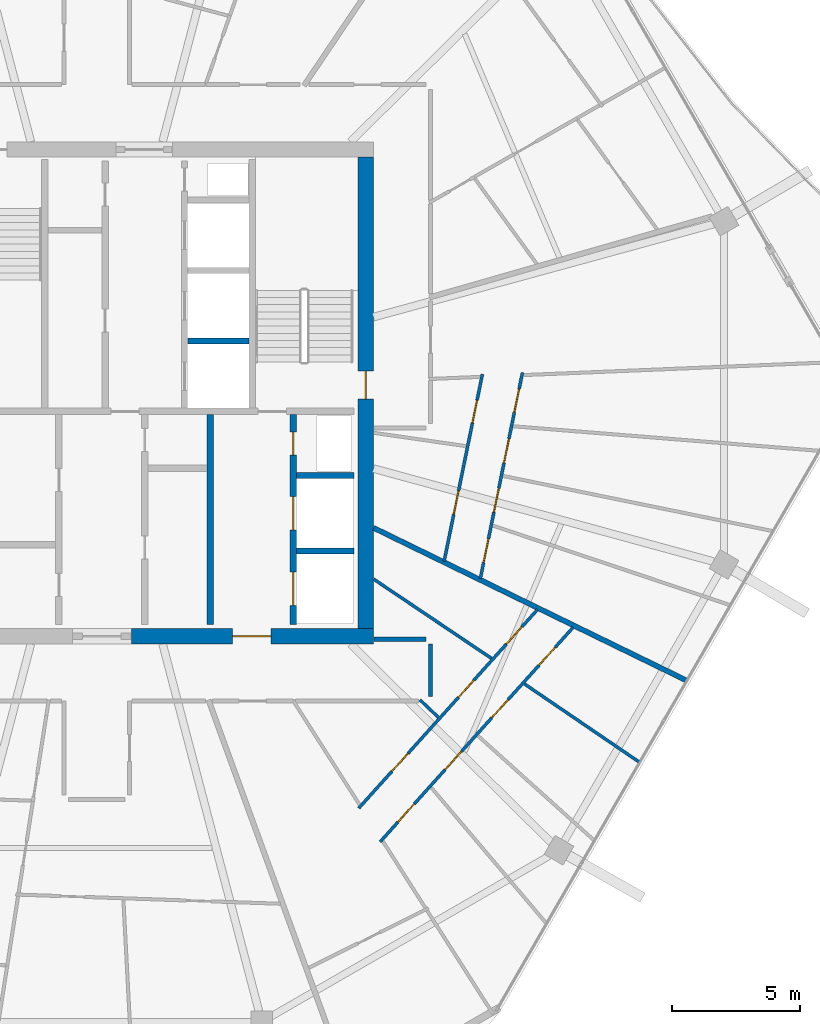
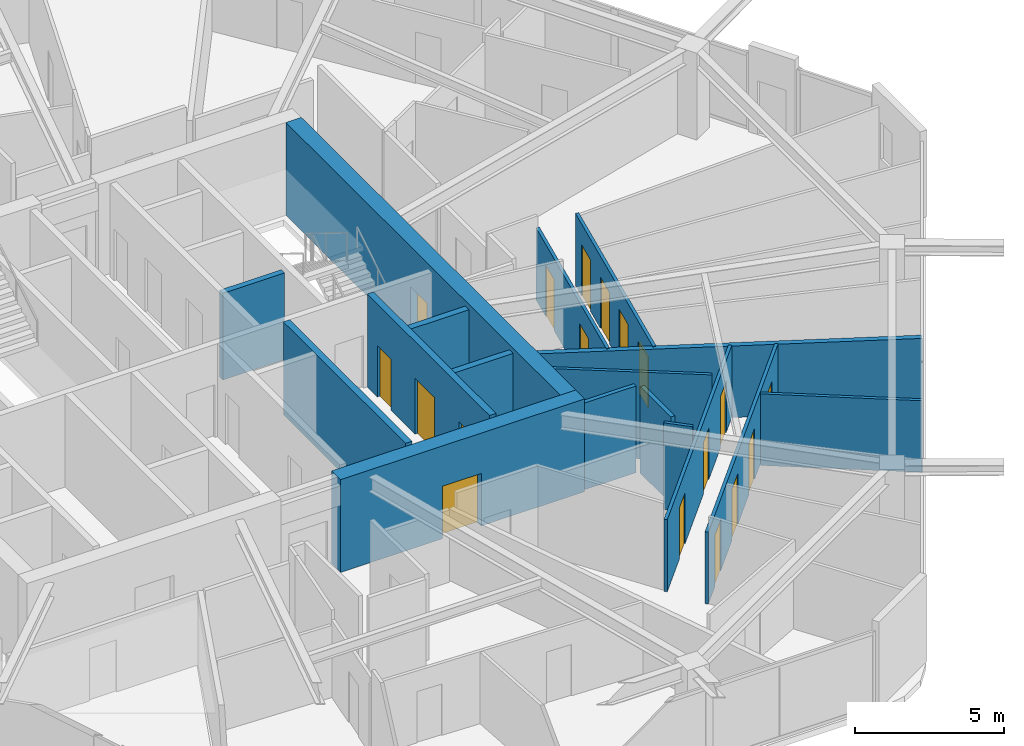
# One storey, part 20 of 26: 18 doors, 17 walls, 18 openings.
"""IFC4 building model written with IfcOpenShell, lengths in metres."""

from ifc_helpers import new_model, si_unit, direction, frame, frame_2d, origin, place, context, subcontext, project, spatial, rectangle, extrude, material, layer, layer_set, type_object, element, fill, save


model = new_model("IFC4")

# Units and contexts
model_context = context("Model", 3, precision=1e-05, world=origin(), true_north=direction((0.0, 1.0)))
body_context = subcontext(model_context, "Body", "Model", "MODEL_VIEW")
ifc_project = project(units=[si_unit("LENGTHUNIT", "METRE"), si_unit("AREAUNIT", "SQUARE_METRE"), si_unit("VOLUMEUNIT", "CUBIC_METRE"), si_unit("PLANEANGLEUNIT", "RADIAN"), si_unit("MASSUNIT", "GRAM", prefix="KILO")], contexts=[model_context])

# Site, building, storey
site_placement = place(None, origin())
site = spatial("IfcSite", under=ifc_project, at=site_placement, CompositionType="ELEMENT")
building_placement = place(site_placement, origin())
building = spatial("IfcBuilding", under=site, at=building_placement, Name="Zuhravey Tower", CompositionType="ELEMENT")
storey_placement = place(building_placement, frame((0.0, 0.0, 295.800048828125)))
storey = spatial("IfcBuildingStorey", under=building, at=storey_placement, Name="L75", CompositionType="ELEMENT", Elevation=295.800048828125)

# Wall, opening, door
ifc_material_1 = material(Name="Concrete C50/60", Category="concrete")
ifc_layer_1 = layer(ifc_material_1, 0.60009765625)
ifc_layer_set_1 = layer_set([ifc_layer_1], Name="Concrete C50/60")
wall_type_1 = type_object("IfcWallType", Name="Core Shear Wall 600", PredefinedType="SHEAR", material=ifc_layer_set_1)
wall_1_placement = place(storey_placement, frame((37.35009765625, 22.5, 0.0), z_axis=(0.0, 0.0, 1.0), x_axis=(1.0, 0.0, 0.0)))
wall_1 = element("IfcWall", 1, at=wall_1_placement, inside=storey, type_object=wall_type_1, Name="L75 South-East Core Shear Wall CW60", PredefinedType="SHEAR", context=body_context, shape_type="SweptSolid", body=[
    extrude(rectangle(XDim=9.449951171875, YDim=0.60009765625, at=frame_2d((4.72509765625, 0.0))), origin(), (0.0, 0.0, 1.0), 3.800048828125),
])
opening_1_placement = place(wall_1_placement, frame((3.949951171875, 0.0, 0.0)))
opening_1 = element("IfcOpeningElement", 2, at=opening_1_placement, cuts=wall_1, Name="Opening FFD1", PredefinedType="OPENING", context=body_context, shape_type="SweptSolid", body=[
    extrude(rectangle(XDim=1.5, YDim=2.14990234375, at=frame_2d((0.75, 1.074951171875))), frame((0.0, 0.31201171875, 0.0), z_axis=(0.0, -1.0, 0.0), x_axis=(1.0, 0.0, 0.0)), (0.0, 0.0, 1.0), 0.6240234375),
])
ifc_material_2 = material(Name="Galvanised fire-rated steel leaf", Category="steel")
door_type_1 = type_object("IfcDoorType", Name="Firefighting Lobby Double Door 1500x2150", OperationType="DOUBLE_DOOR_SINGLE_SWING", PredefinedType="DOOR", material=ifc_material_2)
door_1_placement = place(opening_1_placement, origin())
door_1 = element("IfcDoor", 3, at=door_1_placement, inside=storey, type_object=door_type_1, Name="L75 Firefighting Lobby East Door", OperationType="DOUBLE_DOOR_SINGLE_SWING", OverallHeight=2.14990234375, OverallWidth=1.5, PredefinedType="DOOR", context=body_context, shape_type="SweptSolid", body=[
    extrude(rectangle(XDim=1.5, YDim=2.14990234375, at=frame_2d((0.75, 1.074951171875))), frame((0.0, 0.02490234375, 0.0), z_axis=(0.0, -1.0, 0.0), x_axis=(1.0, 0.0, 0.0)), (0.0, 0.0, 1.0), 0.050048828125),
])
fill(opening_1, door_1)

wall_2_placement = place(storey_placement, frame((46.5, 22.800048828125, 0.0), z_axis=(0.0, 0.0, 1.0), x_axis=(0.0, 1.0, 0.0)))
wall_2 = element("IfcWall", 4, at=wall_2_placement, inside=storey, type_object=wall_type_1, Name="L75 East Core Shear Wall CW60", PredefinedType="SHEAR", context=body_context, shape_type="SweptSolid", body=[
    extrude(rectangle(XDim=18.39990234375, YDim=0.60009765625, at=frame_2d((9.199951171875, 0.0))), origin(), (0.0, 0.0, 1.0), 3.800048828125),
])
opening_2_placement = place(wall_2_placement, frame((8.949951171875, 0.0, 0.0)))
opening_2 = element("IfcOpeningElement", 5, at=opening_2_placement, cuts=wall_2, Name="Opening STD1", PredefinedType="OPENING", context=body_context, shape_type="SweptSolid", body=[
    extrude(rectangle(XDim=1.10009765625, YDim=2.14990234375, at=frame_2d((0.550048828125, 1.074951171875))), frame((0.0, 0.31201171875, 0.0), z_axis=(0.0, -1.0, 0.0), x_axis=(1.0, 0.0, 0.0)), (0.0, 0.0, 1.0), 0.6240234375),
])
door_type_2 = type_object("IfcDoorType", Name="Protected Stair Fire Door 1100x2150", OperationType="NOTDEFINED", PredefinedType="USERDEFINED", material=ifc_material_2)
door_2_placement = place(opening_2_placement, origin())
door_2 = element("IfcDoor", 6, at=door_2_placement, inside=storey, type_object=door_type_2, Name="L75 Stair ST2 Door", ObjectType="EXITDOOR", OperationType="SINGLE_SWING_RIGHT", OverallHeight=2.14990234375, OverallWidth=1.10009765625, PredefinedType="USERDEFINED", context=body_context, shape_type="SweptSolid", body=[
    extrude(rectangle(XDim=1.10009765625, YDim=2.14990234375, at=frame_2d((0.550048828125, 1.074951171875))), frame((0.0, 0.02490234375, 0.0), z_axis=(0.0, -1.0, 0.0), x_axis=(1.0, 0.0, 0.0)), (0.0, 0.0, 1.0), 0.050048828125),
])
fill(opening_2, door_2)

# Walls
ifc_material_3 = material(Name="Gypsum fire-rated stud partition")
ifc_layer_2 = layer(ifc_material_3, 0.159912109375)
ifc_layer_set_2 = layer_set([ifc_layer_2], Name="Gypsum fire-rated stud partition")
wall_type_2 = type_object("IfcWallType", Name="Corridor Fire Partition 160", PredefinedType="PARTITIONING", material=ifc_layer_set_2)
wall_3_placement = place(storey_placement, frame((49.030029296875, 20.14990234375, 0.0), z_axis=(0.0, 0.0, 1.0), x_axis=(0.0, 1.0, 0.0)))
element("IfcWall", 7, at=wall_3_placement, inside=storey, type_object=wall_type_2, Name="L75 IW16 Partition 114", PredefinedType="PARTITIONING", context=body_context, shape_type="SweptSolid", body=[
    extrude(rectangle(XDim=2.050048828125, YDim=0.159912109375, at=frame_2d((1.02490234375, 0.0))), origin(), (0.0, 0.0, 1.0), 3.550048828125),
])
wall_4_placement = place(storey_placement, frame((48.85009765625, 22.3798828125, 0.0), z_axis=(0.0, 0.0, 1.0), x_axis=(-1.0, 0.0, 0.0)))
element("IfcWall", 8, at=wall_4_placement, inside=storey, type_object=wall_type_2, Name="L75 IW16 Partition 115", PredefinedType="PARTITIONING", context=body_context, shape_type="SweptSolid", body=[
    extrude(rectangle(XDim=2.030029296875, YDim=0.159912109375, at=frame_2d((1.01513671875, 0.0))), origin(), (0.0, 0.0, 1.0), 3.550048828125),
])
ifc_layer_3 = layer(ifc_material_1, 0.25)
ifc_layer_set_3 = layer_set([ifc_layer_3], Name="Concrete C50/60")
wall_type_3 = type_object("IfcWallType", Name="Firefighting Shaft & Stair Wall 250", PredefinedType="SOLIDWALL", material=ifc_layer_set_3)
wall_5_placement = place(storey_placement, frame((40.425048828125, 22.949951171875, 0.0), z_axis=(0.0, 0.0, 1.0), x_axis=(0.0, 1.0, 0.0)))
element("IfcWall", 9, at=wall_5_placement, inside=storey, type_object=wall_type_3, Name="L75 FW25 Shaft Wall 017", PredefinedType="SOLIDWALL", context=body_context, shape_type="SweptSolid", body=[
    extrude(rectangle(XDim=8.199951171875, YDim=0.25, at=frame_2d((4.10009765625, 0.0))), origin(), (0.0, 0.0, 1.0), 3.800048828125),
])
for number, where, z_axis, x_axis, name in (
    (10, (43.800048828125, 25.824951171875, 0.0), (0.0, 0.0, 1.0), (1.0, 0.0, 0.0), "L75 FW25 Shaft Wall 018"),
    (11, (43.800048828125, 28.77490234375, 0.0), (0.0, 0.0, 1.0), (1.0, 0.0, 0.0), "L75 FW25 Shaft Wall 019"),
):
    element("IfcWall", number, at=place(storey_placement, frame(where, z_axis=z_axis, x_axis=x_axis)), inside=storey, type_object=wall_type_3, Name=name, PredefinedType="SOLIDWALL", context=body_context, shape_type="SweptSolid", body=[
        extrude(rectangle(XDim=2.25, YDim=0.25, at=frame_2d((1.125, 0.0))), origin(), (0.0, 0.0, 1.0), 3.800048828125),
    ])

# Wall, openings, doors
wall_6_placement = place(storey_placement, frame((43.675048828125, 22.949951171875, 0.0), z_axis=(0.0, 0.0, 1.0), x_axis=(0.0, 1.0, 0.0)))
wall_6 = element("IfcWall", 12, at=wall_6_placement, inside=storey, type_object=wall_type_3, Name="L75 FW25 Shaft Wall 020", PredefinedType="SOLIDWALL", context=body_context, shape_type="SweptSolid", body=[
    extrude(rectangle(XDim=8.199951171875, YDim=0.25, at=frame_2d((4.10009765625, 0.0))), origin(), (0.0, 0.0, 1.0), 3.800048828125),
])
opening_3_placement = place(wall_6_placement, frame((0.75, 0.0, 0.0)))
opening_3 = element("IfcOpeningElement", 13, at=opening_3_placement, cuts=wall_6, Name="Opening LD2", PredefinedType="OPENING", context=body_context, shape_type="SweptSolid", body=[
    extrude(rectangle(XDim=1.300048828125, YDim=2.300048828125, at=frame_2d((0.64990234375, 1.14990234375))), frame((0.0, 0.136962890625, 0.0), z_axis=(0.0, -1.0, 0.0), x_axis=(1.0, 0.0, 0.0)), (0.0, 0.0, 1.0), 0.27392578125),
])
opening_4_placement = place(wall_6_placement, frame((3.699951171875, 0.0, 0.0)))
opening_4 = element("IfcOpeningElement", 14, at=opening_4_placement, cuts=wall_6, Name="Opening LD2", PredefinedType="OPENING", context=body_context, shape_type="SweptSolid", body=[
    extrude(rectangle(XDim=1.300048828125, YDim=2.300048828125, at=frame_2d((0.64990234375, 1.14990234375))), frame((0.0, 0.136962890625, 0.0), z_axis=(0.0, -1.0, 0.0), x_axis=(1.0, 0.0, 0.0)), (0.0, 0.0, 1.0), 0.27392578125),
])
opening_5_placement = place(wall_6_placement, frame((6.6201171875, 0.0, 0.0)))
opening_5 = element("IfcOpeningElement", 15, at=opening_5_placement, cuts=wall_6, Name="Opening RSD1", PredefinedType="OPENING", context=body_context, shape_type="SweptSolid", body=[
    extrude(rectangle(XDim=0.89990234375, YDim=2.10009765625, at=frame_2d((0.449951171875, 1.050048828125))), frame((0.0, 0.136962890625, 0.0), z_axis=(0.0, -1.0, 0.0), x_axis=(1.0, 0.0, 0.0)), (0.0, 0.0, 1.0), 0.27392578125),
])
ifc_material_4 = material(Name="Brushed stainless steel", Category="steel")
door_type_3 = type_object("IfcDoorType", Name="Freight & Stretcher Lift Sliding Door 1300x2300", OperationType="DOUBLE_DOOR_SLIDING", PredefinedType="DOOR", material=ifc_material_4)
door_3_placement = place(opening_3_placement, origin())
door_3 = element("IfcDoor", 16, at=door_3_placement, inside=storey, type_object=door_type_3, Name="L75 Lift FF2 Landing Door", OperationType="DOUBLE_DOOR_SLIDING", OverallHeight=2.300048828125, OverallWidth=1.300048828125, PredefinedType="DOOR", context=body_context, shape_type="SweptSolid", body=[
    extrude(rectangle(XDim=1.300048828125, YDim=2.300048828125, at=frame_2d((0.64990234375, 1.14990234375))), frame((0.0, 0.02490234375, 0.0), z_axis=(0.0, -1.0, 0.0), x_axis=(1.0, 0.0, 0.0)), (0.0, 0.0, 1.0), 0.050048828125),
])
fill(opening_3, door_3)
door_4_placement = place(opening_4_placement, origin())
door_4 = element("IfcDoor", 17, at=door_4_placement, inside=storey, type_object=door_type_3, Name="L75 Lift SV1 Landing Door", OperationType="DOUBLE_DOOR_SLIDING", OverallHeight=2.300048828125, OverallWidth=1.300048828125, PredefinedType="DOOR", context=body_context, shape_type="SweptSolid", body=[
    extrude(rectangle(XDim=1.300048828125, YDim=2.300048828125, at=frame_2d((0.64990234375, 1.14990234375))), frame((0.0, 0.02490234375, 0.0), z_axis=(0.0, -1.0, 0.0), x_axis=(1.0, 0.0, 0.0)), (0.0, 0.0, 1.0), 0.050048828125),
])
fill(opening_4, door_4)
ifc_material_5 = material(Name="Galvanised fire-rated steel access leaf", Category="steel")
door_type_4 = type_object("IfcDoorType", Name="Riser & Shaft Access Fire Door 900x2100", OperationType="NOTDEFINED", PredefinedType="DOOR", material=ifc_material_5)
door_5_placement = place(opening_5_placement, origin())
door_5 = element("IfcDoor", 18, at=door_5_placement, inside=storey, type_object=door_type_4, Name="L75 Plumbing Riser Door", OperationType="SINGLE_SWING_RIGHT", OverallHeight=2.10009765625, OverallWidth=0.89990234375, PredefinedType="DOOR", context=body_context, shape_type="SweptSolid", body=[
    extrude(rectangle(XDim=0.89990234375, YDim=2.10009765625, at=frame_2d((0.449951171875, 1.050048828125))), frame((0.0, 0.02490234375, 0.0), z_axis=(0.0, -1.0, 0.0), x_axis=(1.0, 0.0, 0.0)), (0.0, 0.0, 1.0), 0.050048828125),
])
fill(opening_5, door_5)

# Walls
ifc_material_6 = material(Name="Gypsum double-stud party assembly")
ifc_layer_4 = layer(ifc_material_6, 0.199951171875)
ifc_layer_set_4 = layer_set([ifc_layer_4], Name="Gypsum double-stud party assembly")
wall_type_4 = type_object("IfcWallType", Name="Inter-Tenancy Party Wall 200", PredefinedType="PARTITIONING", material=ifc_layer_set_4)
wall_7_placement = place(storey_placement, frame((46.80810546875, 26.728515625, 0.0), z_axis=(0.0, 0.0, 1.0), x_axis=(0.89879587414, -0.438367399141, 0.0)))
element("IfcWall", 19, at=wall_7_placement, inside=storey, type_object=wall_type_4, Name="L75 IW20 Partition 080", PredefinedType="PARTITIONING", context=body_context, shape_type="SweptSolid", body=[
    extrude(rectangle(XDim=13.600830078125, YDim=0.199951171875, at=frame_2d((6.80029296875, 0.0))), origin(), (0.0, 0.0, 1.0), 2.929931640625),
])
ifc_material_7 = material(Name="Gypsum acoustic stud assembly")
ifc_layer_5 = layer(ifc_material_7, 0.219970703125)
ifc_layer_set_5 = layer_set([ifc_layer_5], Name="Gypsum acoustic stud assembly")
wall_type_5 = type_object("IfcWallType", Name="School Acoustic Compartment Wall 220", PredefinedType="PARTITIONING", material=ifc_layer_set_5)
wall_8_placement = place(storey_placement, frame((39.55810546875, 34.02490234375, 0.0), z_axis=(0.0, 0.0, 1.0), x_axis=(1.0, 0.0, 0.0)))
element("IfcWall", 20, at=wall_8_placement, inside=storey, type_object=wall_type_5, Name="L75 IW22 Partition 059", PredefinedType="PARTITIONING", context=body_context, shape_type="SweptSolid", body=[
    extrude(rectangle(XDim=2.3837890625, YDim=0.219970703125, at=frame_2d((1.19189453125, 0.0))), origin(), (0.0, 0.0, 1.0), 3.550048828125),
])

# Wall, openings, doors
ifc_material_8 = material(Name="Gypsum metal-stud partition")
ifc_layer_6 = layer(ifc_material_8, 0.1201171875)
ifc_layer_set_6 = layer_set([ifc_layer_6], Name="Gypsum metal-stud partition")
wall_type_6 = type_object("IfcWallType", Name="Unit Internal Partition 120", PredefinedType="PARTITIONING", material=ifc_layer_set_6)
wall_9_placement = place(storey_placement, frame((46.226806640625, 15.785888671875, 0.0), z_axis=(0.0, 0.0, 1.0), x_axis=(0.668867693005, 0.743381469539, 0.0)))
wall_9 = element("IfcWall", 21, at=wall_9_placement, inside=storey, type_object=wall_type_6, Name="L75 IW12 Partition 033", PredefinedType="PARTITIONING", context=body_context, shape_type="SweptSolid", body=[
    extrude(rectangle(XDim=10.42578125, YDim=0.1201171875, at=frame_2d((5.212890625, 0.0))), origin(), (0.0, 0.0, 1.0), 2.949951171875),
])
opening_6_placement = place(wall_9_placement, frame((1.93408203125, 0.0, 0.0)))
opening_6 = element("IfcOpeningElement", 22, at=opening_6_placement, cuts=wall_9, Name="Opening IND1", PredefinedType="OPENING", context=body_context, shape_type="SweptSolid", body=[
    extrude(rectangle(XDim=0.949951171875, YDim=2.10009765625, at=frame_2d((0.47509765625, 1.050048828125))), frame((0.0, 0.072021484375, 0.0), z_axis=(0.0, -1.0, 0.0), x_axis=(1.0, 0.0, 0.0)), (0.0, 0.0, 1.0), 0.14404296875),
])
opening_7_placement = place(wall_9_placement, frame((5.81787109375, 0.0, 0.0)))
opening_7 = element("IfcOpeningElement", 23, at=opening_7_placement, cuts=wall_9, Name="Opening WCD1", PredefinedType="OPENING", context=body_context, shape_type="SweptSolid", body=[
    extrude(rectangle(XDim=0.89990234375, YDim=2.10009765625, at=frame_2d((0.449951171875, 1.050048828125))), frame((0.0, 0.072021484375, 0.0), z_axis=(0.0, -1.0, 0.0), x_axis=(1.0, 0.0, 0.0)), (0.0, 0.0, 1.0), 0.14404296875),
])
opening_8_placement = place(wall_9_placement, frame((8.62109375, 0.0, 0.0)))
opening_8 = element("IfcOpeningElement", 24, at=opening_8_placement, cuts=wall_9, Name="Opening WCD1", PredefinedType="OPENING", context=body_context, shape_type="SweptSolid", body=[
    extrude(rectangle(XDim=0.89990234375, YDim=2.10009765625, at=frame_2d((0.449951171875, 1.050048828125))), frame((0.0, 0.072021484375, 0.0), z_axis=(0.0, -1.0, 0.0), x_axis=(1.0, 0.0, 0.0)), (0.0, 0.0, 1.0), 0.14404296875),
])
ifc_material_9 = material(Name="Moisture-resistant timber leaf", Category="wood")
door_type_5 = type_object("IfcDoorType", Name="Bathroom & WC Internal Door 900x2100", OperationType="NOTDEFINED", PredefinedType="DOOR", material=ifc_material_9)
door_6_placement = place(opening_7_placement, origin())
door_6 = element("IfcDoor", 25, at=door_6_placement, inside=storey, type_object=door_type_5, Name="Apartment L75-03 Bathroom 1 Door", OperationType="SINGLE_SWING_RIGHT", OverallHeight=2.10009765625, OverallWidth=0.89990234375, PredefinedType="DOOR", context=body_context, shape_type="SweptSolid", body=[
    extrude(rectangle(XDim=0.89990234375, YDim=2.10009765625, at=frame_2d((0.449951171875, 1.050048828125))), frame((0.0, 0.02490234375, 0.0), z_axis=(0.0, -1.0, 0.0), x_axis=(1.0, 0.0, 0.0)), (0.0, 0.0, 1.0), 0.050048828125),
])
fill(opening_7, door_6)
door_7_placement = place(opening_8_placement, origin())
door_7 = element("IfcDoor", 26, at=door_7_placement, inside=storey, type_object=door_type_5, Name="Apartment L75-03 Bathroom 2 Door", OperationType="SINGLE_SWING_LEFT", OverallHeight=2.10009765625, OverallWidth=0.89990234375, PredefinedType="DOOR", context=body_context, shape_type="SweptSolid", body=[
    extrude(rectangle(XDim=0.89990234375, YDim=2.10009765625, at=frame_2d((0.449951171875, 1.050048828125))), frame((0.0, 0.02490234375, 0.0), z_axis=(0.0, -1.0, 0.0), x_axis=(1.0, 0.0, 0.0)), (0.0, 0.0, 1.0), 0.050048828125),
])
fill(opening_8, door_7)
ifc_material_10 = material(Name="Painted engineered timber leaf", Category="wood")
door_type_6 = type_object("IfcDoorType", Name="Internal Room & Bedroom Door 950x2100", OperationType="NOTDEFINED", PredefinedType="DOOR", material=ifc_material_10)
door_8_placement = place(opening_6_placement, origin())
door_8 = element("IfcDoor", 27, at=door_8_placement, inside=storey, type_object=door_type_6, Name="Apartment L75-03 Kitchen Door", OperationType="SINGLE_SWING_LEFT", OverallHeight=2.10009765625, OverallWidth=0.949951171875, PredefinedType="DOOR", context=body_context, shape_type="SweptSolid", body=[
    extrude(rectangle(XDim=0.949951171875, YDim=2.10009765625, at=frame_2d((0.47509765625, 1.050048828125))), frame((0.0, 0.02490234375, 0.0), z_axis=(0.0, -1.0, 0.0), x_axis=(1.0, 0.0, 0.0)), (0.0, 0.0, 1.0), 0.050048828125),
])
fill(opening_6, door_8)

wall_10_placement = place(storey_placement, frame((47.06396484375, 14.473876953125, 0.0), z_axis=(0.0, 0.0, 1.0), x_axis=(0.66887365587, 0.743376104326, 0.0)))
wall_10 = element("IfcWall", 28, at=wall_10_placement, inside=storey, type_object=wall_type_6, Name="L75 IW12 Partition 034", PredefinedType="PARTITIONING", context=body_context, shape_type="SweptSolid", body=[
    extrude(rectangle(XDim=11.25634765625, YDim=0.1201171875, at=frame_2d((5.628173828125, 0.0))), origin(), (0.0, 0.0, 1.0), 2.949951171875),
])
opening_9_placement = place(wall_10_placement, frame((1.033447265625, 0.0, 0.0)))
opening_9 = element("IfcOpeningElement", 29, at=opening_9_placement, cuts=wall_10, Name="Opening IND1", PredefinedType="OPENING", context=body_context, shape_type="SweptSolid", body=[
    extrude(rectangle(XDim=0.949951171875, YDim=2.10009765625, at=frame_2d((0.47509765625, 1.050048828125))), frame((0.0, 0.072021484375, 0.0), z_axis=(0.0, -1.0, 0.0), x_axis=(1.0, 0.0, 0.0)), (0.0, 0.0, 1.0), 0.14404296875),
])
opening_10_placement = place(wall_10_placement, frame((3.797119140625, 0.0, 0.0)))
opening_10 = element("IfcOpeningElement", 30, at=opening_10_placement, cuts=wall_10, Name="Opening IND1", PredefinedType="OPENING", context=body_context, shape_type="SweptSolid", body=[
    extrude(rectangle(XDim=0.949951171875, YDim=2.10009765625, at=frame_2d((0.47509765625, 1.050048828125))), frame((0.0, 0.072021484375, 0.0), z_axis=(0.0, -1.0, 0.0), x_axis=(1.0, 0.0, 0.0)), (0.0, 0.0, 1.0), 0.14404296875),
])
opening_11_placement = place(wall_10_placement, frame((6.50927734375, 0.0, 0.0)))
opening_11 = element("IfcOpeningElement", 31, at=opening_11_placement, cuts=wall_10, Name="Opening IND1", PredefinedType="OPENING", context=body_context, shape_type="SweptSolid", body=[
    extrude(rectangle(XDim=0.949951171875, YDim=2.10009765625, at=frame_2d((0.47509765625, 1.050048828125))), frame((0.0, 0.072021484375, 0.0), z_axis=(0.0, -1.0, 0.0), x_axis=(1.0, 0.0, 0.0)), (0.0, 0.0, 1.0), 0.14404296875),
])
opening_12_placement = place(wall_10_placement, frame((9.27294921875, 0.0, 0.0)))
opening_12 = element("IfcOpeningElement", 32, at=opening_12_placement, cuts=wall_10, Name="Opening IND1", PredefinedType="OPENING", context=body_context, shape_type="SweptSolid", body=[
    extrude(rectangle(XDim=0.949951171875, YDim=2.10009765625, at=frame_2d((0.47509765625, 1.050048828125))), frame((0.0, 0.072021484375, 0.0), z_axis=(0.0, -1.0, 0.0), x_axis=(1.0, 0.0, 0.0)), (0.0, 0.0, 1.0), 0.14404296875),
])
door_9_placement = place(opening_9_placement, frame((0.949951171875, 0.0, 0.0), z_axis=(0.0, 0.0, 1.0), x_axis=(-1.0, 0.0, 0.0)))
door_9 = element("IfcDoor", 33, at=door_9_placement, inside=storey, type_object=door_type_6, Name="Apartment L75-03 Bedroom 1 Door", OperationType="SINGLE_SWING_RIGHT", OverallHeight=2.10009765625, OverallWidth=0.949951171875, PredefinedType="DOOR", context=body_context, shape_type="SweptSolid", body=[
    extrude(rectangle(XDim=0.949951171875, YDim=2.10009765625, at=frame_2d((0.47509765625, 1.050048828125))), frame((0.0, 0.02490234375, 0.0), z_axis=(0.0, -1.0, 0.0), x_axis=(1.0, 0.0, 0.0)), (0.0, 0.0, 1.0), 0.050048828125),
])
fill(opening_9, door_9)
door_10_placement = place(opening_10_placement, frame((0.949951171875, 0.0, 0.0), z_axis=(0.0, 0.0, 1.0), x_axis=(-1.0, 0.0, 0.0)))
door_10 = element("IfcDoor", 34, at=door_10_placement, inside=storey, type_object=door_type_6, Name="Apartment L75-03 Bedroom 2 Door", OperationType="SINGLE_SWING_LEFT", OverallHeight=2.10009765625, OverallWidth=0.949951171875, PredefinedType="DOOR", context=body_context, shape_type="SweptSolid", body=[
    extrude(rectangle(XDim=0.949951171875, YDim=2.10009765625, at=frame_2d((0.47509765625, 1.050048828125))), frame((0.0, 0.02490234375, 0.0), z_axis=(0.0, -1.0, 0.0), x_axis=(1.0, 0.0, 0.0)), (0.0, 0.0, 1.0), 0.050048828125),
])
fill(opening_10, door_10)
door_11_placement = place(opening_11_placement, frame((0.949951171875, 0.0, 0.0), z_axis=(0.0, 0.0, 1.0), x_axis=(-1.0, 0.0, 0.0)))
door_11 = element("IfcDoor", 35, at=door_11_placement, inside=storey, type_object=door_type_6, Name="Apartment L75-03 Bedroom 3 Door", OperationType="SINGLE_SWING_RIGHT", OverallHeight=2.10009765625, OverallWidth=0.949951171875, PredefinedType="DOOR", context=body_context, shape_type="SweptSolid", body=[
    extrude(rectangle(XDim=0.949951171875, YDim=2.10009765625, at=frame_2d((0.47509765625, 1.050048828125))), frame((0.0, 0.02490234375, 0.0), z_axis=(0.0, -1.0, 0.0), x_axis=(1.0, 0.0, 0.0)), (0.0, 0.0, 1.0), 0.050048828125),
])
fill(opening_11, door_11)
door_12_placement = place(opening_12_placement, frame((0.949951171875, 0.0, 0.0), z_axis=(0.0, 0.0, 1.0), x_axis=(-1.0, 0.0, 0.0)))
door_12 = element("IfcDoor", 36, at=door_12_placement, inside=storey, type_object=door_type_6, Name="Apartment L75-03 Bedroom 4 Door", OperationType="SINGLE_SWING_LEFT", OverallHeight=2.10009765625, OverallWidth=0.949951171875, PredefinedType="DOOR", context=body_context, shape_type="SweptSolid", body=[
    extrude(rectangle(XDim=0.949951171875, YDim=2.10009765625, at=frame_2d((0.47509765625, 1.050048828125))), frame((0.0, 0.02490234375, 0.0), z_axis=(0.0, -1.0, 0.0), x_axis=(1.0, 0.0, 0.0)), (0.0, 0.0, 1.0), 0.050048828125),
])
fill(opening_12, door_12)

wall_11_placement = place(storey_placement, frame((49.560302734375, 25.42138671875, 0.0), z_axis=(0.0, 0.0, 1.0), x_axis=(0.200371234372, 0.97972004595, 0.0)))
wall_11 = element("IfcWall", 37, at=wall_11_placement, inside=storey, type_object=wall_type_6, Name="L75 IW12 Partition 036", PredefinedType="PARTITIONING", context=body_context, shape_type="SweptSolid", body=[
    extrude(rectangle(XDim=7.45556640625, YDim=0.1201171875, at=frame_2d((3.727783203125, 0.0))), origin(), (0.0, 0.0, 1.0), 2.949951171875),
])
opening_13_placement = place(wall_11_placement, frame((1.8671875, 0.0, 0.0)))
opening_13 = element("IfcOpeningElement", 38, at=opening_13_placement, cuts=wall_11, Name="Opening IND1", PredefinedType="OPENING", context=body_context, shape_type="SweptSolid", body=[
    extrude(rectangle(XDim=0.949951171875, YDim=2.10009765625, at=frame_2d((0.47509765625, 1.050048828125))), frame((0.0, 0.072021484375, 0.0), z_axis=(0.0, -1.0, 0.0), x_axis=(1.0, 0.0, 0.0)), (0.0, 0.0, 1.0), 0.14404296875),
])
opening_14_placement = place(wall_11_placement, frame((5.51708984375, 0.0, 0.0)))
opening_14 = element("IfcOpeningElement", 39, at=opening_14_placement, cuts=wall_11, Name="Opening WCD1", PredefinedType="OPENING", context=body_context, shape_type="SweptSolid", body=[
    extrude(rectangle(XDim=0.89990234375, YDim=2.10009765625, at=frame_2d((0.449951171875, 1.050048828125))), frame((0.0, 0.072021484375, 0.0), z_axis=(0.0, -1.0, 0.0), x_axis=(1.0, 0.0, 0.0)), (0.0, 0.0, 1.0), 0.14404296875),
])
door_13_placement = place(opening_14_placement, origin())
door_13 = element("IfcDoor", 40, at=door_13_placement, inside=storey, type_object=door_type_5, Name="Apartment L75-04 Bathroom Door", OperationType="SINGLE_SWING_RIGHT", OverallHeight=2.10009765625, OverallWidth=0.89990234375, PredefinedType="DOOR", context=body_context, shape_type="SweptSolid", body=[
    extrude(rectangle(XDim=0.89990234375, YDim=2.10009765625, at=frame_2d((0.449951171875, 1.050048828125))), frame((0.0, 0.02490234375, 0.0), z_axis=(0.0, -1.0, 0.0), x_axis=(1.0, 0.0, 0.0)), (0.0, 0.0, 1.0), 0.050048828125),
])
fill(opening_14, door_13)
door_14_placement = place(opening_13_placement, origin())
door_14 = element("IfcDoor", 41, at=door_14_placement, inside=storey, type_object=door_type_6, Name="Apartment L75-04 Kitchen Door", OperationType="SINGLE_SWING_LEFT", OverallHeight=2.10009765625, OverallWidth=0.949951171875, PredefinedType="DOOR", context=body_context, shape_type="SweptSolid", body=[
    extrude(rectangle(XDim=0.949951171875, YDim=2.10009765625, at=frame_2d((0.47509765625, 1.050048828125))), frame((0.0, 0.02490234375, 0.0), z_axis=(0.0, -1.0, 0.0), x_axis=(1.0, 0.0, 0.0)), (0.0, 0.0, 1.0), 0.050048828125),
])
fill(opening_13, door_14)

wall_12_placement = place(storey_placement, frame((50.973876953125, 24.7470703125, 0.0), z_axis=(0.0, 0.0, 1.0), x_axis=(0.200363153117, 0.979721698684, 0.0)))
wall_12 = element("IfcWall", 42, at=wall_12_placement, inside=storey, type_object=wall_type_6, Name="L75 IW12 Partition 037", PredefinedType="PARTITIONING", context=body_context, shape_type="SweptSolid", body=[
    extrude(rectangle(XDim=8.210205078125, YDim=0.1201171875, at=frame_2d((4.10498046875, 0.0))), origin(), (0.0, 0.0, 1.0), 2.949951171875),
])
opening_15_placement = place(wall_12_placement, frame((0.641845703125, 0.0, 0.0)))
opening_15 = element("IfcOpeningElement", 43, at=opening_15_placement, cuts=wall_12, Name="Opening IND1", PredefinedType="OPENING", context=body_context, shape_type="SweptSolid", body=[
    extrude(rectangle(XDim=0.949951171875, YDim=2.10009765625, at=frame_2d((0.47509765625, 1.050048828125))), frame((0.0, 0.072021484375, 0.0), z_axis=(0.0, -1.0, 0.0), x_axis=(1.0, 0.0, 0.0)), (0.0, 0.0, 1.0), 0.14404296875),
])
opening_16_placement = place(wall_12_placement, frame((2.644287109375, 0.0, 0.0)))
opening_16 = element("IfcOpeningElement", 44, at=opening_16_placement, cuts=wall_12, Name="Opening IND1", PredefinedType="OPENING", context=body_context, shape_type="SweptSolid", body=[
    extrude(rectangle(XDim=0.949951171875, YDim=2.10009765625, at=frame_2d((0.47509765625, 1.050048828125))), frame((0.0, 0.072021484375, 0.0), z_axis=(0.0, -1.0, 0.0), x_axis=(1.0, 0.0, 0.0)), (0.0, 0.0, 1.0), 0.14404296875),
])
opening_17_placement = place(wall_12_placement, frame((4.6162109375, 0.0, 0.0)))
opening_17 = element("IfcOpeningElement", 45, at=opening_17_placement, cuts=wall_12, Name="Opening IND1", PredefinedType="OPENING", context=body_context, shape_type="SweptSolid", body=[
    extrude(rectangle(XDim=0.949951171875, YDim=2.10009765625, at=frame_2d((0.47509765625, 1.050048828125))), frame((0.0, 0.072021484375, 0.0), z_axis=(0.0, -1.0, 0.0), x_axis=(1.0, 0.0, 0.0)), (0.0, 0.0, 1.0), 0.14404296875),
])
opening_18_placement = place(wall_12_placement, frame((6.618408203125, 0.0, 0.0)))
opening_18 = element("IfcOpeningElement", 46, at=opening_18_placement, cuts=wall_12, Name="Opening IND1", PredefinedType="OPENING", context=body_context, shape_type="SweptSolid", body=[
    extrude(rectangle(XDim=0.949951171875, YDim=2.10009765625, at=frame_2d((0.47509765625, 1.050048828125))), frame((0.0, 0.072021484375, 0.0), z_axis=(0.0, -1.0, 0.0), x_axis=(1.0, 0.0, 0.0)), (0.0, 0.0, 1.0), 0.14404296875),
])
door_15_placement = place(opening_15_placement, frame((0.949951171875, 0.0, 0.0), z_axis=(0.0, 0.0, 1.0), x_axis=(-1.0, 0.0, 0.0)))
door_15 = element("IfcDoor", 47, at=door_15_placement, inside=storey, type_object=door_type_6, Name="Apartment L75-04 Bedroom 1 Door", OperationType="SINGLE_SWING_LEFT", OverallHeight=2.10009765625, OverallWidth=0.949951171875, PredefinedType="DOOR", context=body_context, shape_type="SweptSolid", body=[
    extrude(rectangle(XDim=0.949951171875, YDim=2.10009765625, at=frame_2d((0.47509765625, 1.050048828125))), frame((0.0, 0.02490234375, 0.0), z_axis=(0.0, -1.0, 0.0), x_axis=(1.0, 0.0, 0.0)), (0.0, 0.0, 1.0), 0.050048828125),
])
fill(opening_15, door_15)
door_16_placement = place(opening_16_placement, frame((0.949951171875, 0.0, 0.0), z_axis=(0.0, 0.0, 1.0), x_axis=(-1.0, 0.0, 0.0)))
door_16 = element("IfcDoor", 48, at=door_16_placement, inside=storey, type_object=door_type_6, Name="Apartment L75-04 Bedroom 2 Door", OperationType="SINGLE_SWING_RIGHT", OverallHeight=2.10009765625, OverallWidth=0.949951171875, PredefinedType="DOOR", context=body_context, shape_type="SweptSolid", body=[
    extrude(rectangle(XDim=0.949951171875, YDim=2.10009765625, at=frame_2d((0.47509765625, 1.050048828125))), frame((0.0, 0.02490234375, 0.0), z_axis=(0.0, -1.0, 0.0), x_axis=(1.0, 0.0, 0.0)), (0.0, 0.0, 1.0), 0.050048828125),
])
fill(opening_16, door_16)
door_17_placement = place(opening_17_placement, frame((0.949951171875, 0.0, 0.0), z_axis=(0.0, 0.0, 1.0), x_axis=(-1.0, 0.0, 0.0)))
door_17 = element("IfcDoor", 49, at=door_17_placement, inside=storey, type_object=door_type_6, Name="Apartment L75-04 Bedroom 3 Door", OperationType="SINGLE_SWING_LEFT", OverallHeight=2.10009765625, OverallWidth=0.949951171875, PredefinedType="DOOR", context=body_context, shape_type="SweptSolid", body=[
    extrude(rectangle(XDim=0.949951171875, YDim=2.10009765625, at=frame_2d((0.47509765625, 1.050048828125))), frame((0.0, 0.02490234375, 0.0), z_axis=(0.0, -1.0, 0.0), x_axis=(1.0, 0.0, 0.0)), (0.0, 0.0, 1.0), 0.050048828125),
])
fill(opening_17, door_17)
door_18_placement = place(opening_18_placement, frame((0.949951171875, 0.0, 0.0), z_axis=(0.0, 0.0, 1.0), x_axis=(-1.0, 0.0, 0.0)))
door_18 = element("IfcDoor", 50, at=door_18_placement, inside=storey, type_object=door_type_6, Name="Apartment L75-04 Bedroom 4 Door", OperationType="SINGLE_SWING_RIGHT", OverallHeight=2.10009765625, OverallWidth=0.949951171875, PredefinedType="DOOR", context=body_context, shape_type="SweptSolid", body=[
    extrude(rectangle(XDim=0.949951171875, YDim=2.10009765625, at=frame_2d((0.47509765625, 1.050048828125))), frame((0.0, 0.02490234375, 0.0), z_axis=(0.0, -1.0, 0.0), x_axis=(1.0, 0.0, 0.0)), (0.0, 0.0, 1.0), 0.050048828125),
])
fill(opening_18, door_18)

# Walls
wall_13_placement = place(storey_placement, frame((48.61181640625, 20.02001953125, 0.0), z_axis=(0.0, 0.0, 1.0), x_axis=(0.725214586294, -0.688522914525, 0.0)))
element("IfcWall", 51, at=wall_13_placement, inside=storey, type_object=wall_type_6, Name="L75 IW12 Partition 072", PredefinedType="PARTITIONING", context=body_context, shape_type="SweptSolid", body=[
    extrude(rectangle(XDim=0.991455078125, YDim=0.1201171875, at=frame_2d((0.49560546875, 0.0))), origin(), (0.0, 0.0, 1.0), 3.550048828125),
])
wall_14_placement = place(storey_placement, frame((46.80810546875, 24.72900390625, 0.0), z_axis=(0.0, 0.0, 1.0), x_axis=(0.829729536965, -0.558165652372, 0.0)))
element("IfcWall", 52, at=wall_14_placement, inside=storey, type_object=wall_type_6, Name="L75 IW12 Partition 073", PredefinedType="PARTITIONING", context=body_context, shape_type="SweptSolid", body=[
    extrude(rectangle(XDim=5.5361328125, YDim=0.1201171875, at=frame_2d((2.76806640625, 0.0))), origin(), (0.0, 0.0, 1.0), 3.550048828125),
])
wall_15_placement = place(storey_placement, frame((52.69873046875, 20.634521484375, 0.0), z_axis=(0.0, 0.0, 1.0), x_axis=(0.826692890459, -0.562653414515, 0.0)))
element("IfcWall", 53, at=wall_15_placement, inside=storey, type_object=wall_type_6, Name="L75 IW12 Partition 076", PredefinedType="PARTITIONING", context=body_context, shape_type="SweptSolid", body=[
    extrude(rectangle(XDim=5.4443359375, YDim=0.1201171875, at=frame_2d((2.72216796875, 0.0))), origin(), (0.0, 0.0, 1.0), 2.929931640625),
])

save(model, "model.ifc")
